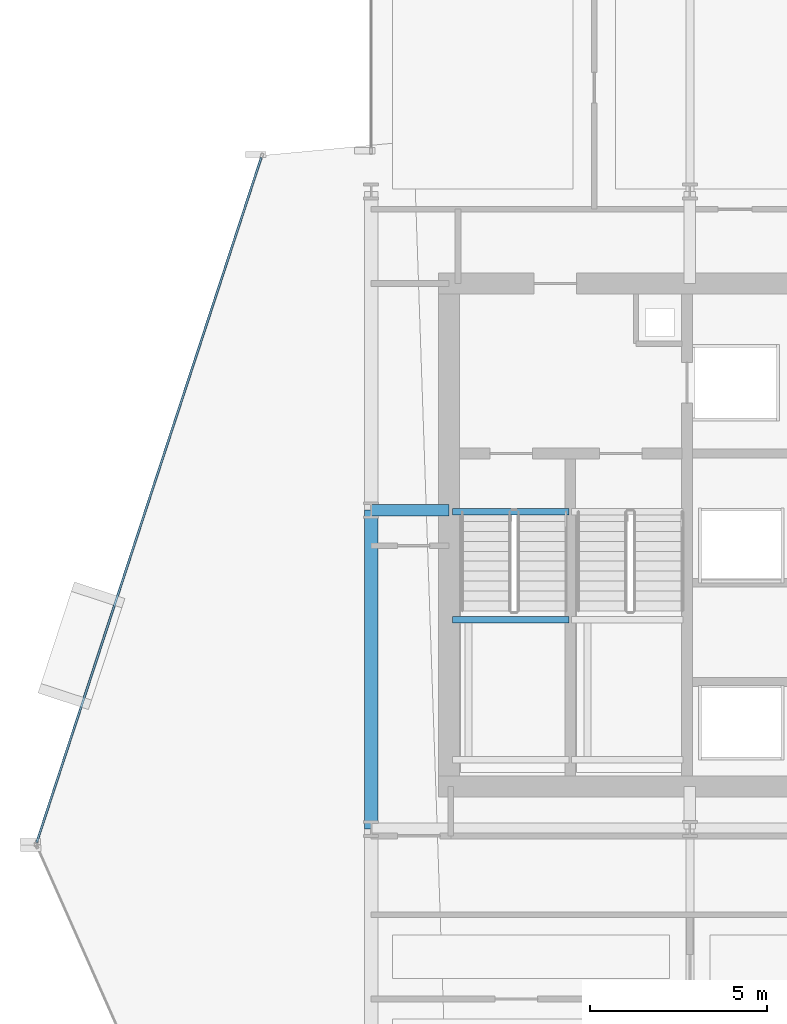
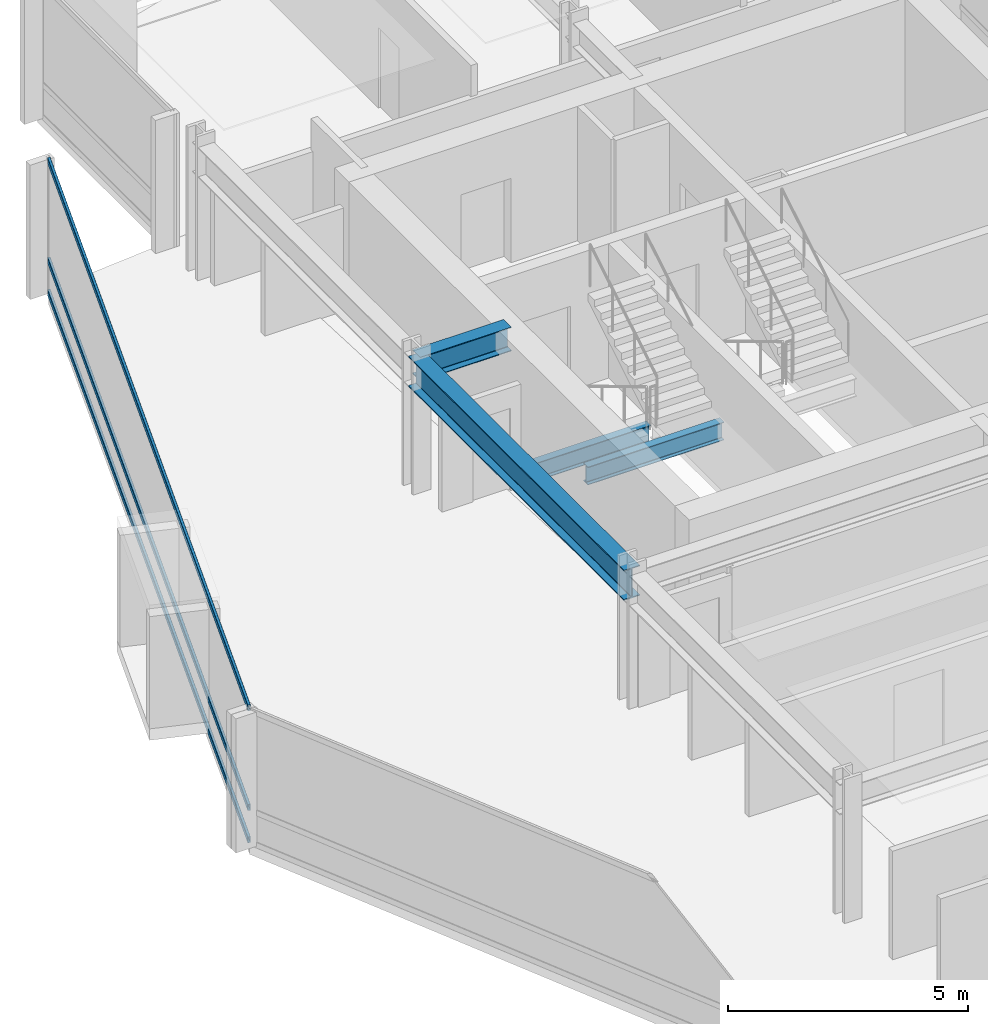
# One storey, part 18 of 34: 4 beams, 3 members, 1 element without a shape of its own.
"""IFC4 building model written with IfcOpenShell, lengths in metres."""

from ifc_helpers import new_model, si_unit, direction, frame, origin, origin_2d, place, context, subcontext, project, spatial, hollow_rectangle, i_section, extrude, material, layer, layer_set, material_profile, profile_set, type_object, element, aggregate, save


model = new_model("IFC4")

# Units and contexts
model_context = context("Model", 3, precision=1e-05, world=origin(), true_north=direction((0.0, 1.0)))
body_context = subcontext(model_context, "Body", "Model", "MODEL_VIEW")
ifc_project = project(units=[si_unit("LENGTHUNIT", "METRE"), si_unit("AREAUNIT", "SQUARE_METRE"), si_unit("VOLUMEUNIT", "CUBIC_METRE"), si_unit("PLANEANGLEUNIT", "RADIAN"), si_unit("MASSUNIT", "GRAM", prefix="KILO")], contexts=[model_context])

# Site, building, storey
site_placement = place(None, origin())
site = spatial("IfcSite", under=ifc_project, at=site_placement, CompositionType="ELEMENT")
building_placement = place(site_placement, origin())
building = spatial("IfcBuilding", under=site, at=building_placement, Name="Solvaryn Broadcast Tower", CompositionType="ELEMENT")
storey_placement = place(building_placement, frame((0.0, 0.0, 89.10009765625)))
storey = spatial("IfcBuildingStorey", under=building, at=storey_placement, Name="L21", CompositionType="ELEMENT", Elevation=89.10009765625)

# Beams
ifc_material_1 = material(Name="Steel ASTM A992 Grade 50", Category="steel")
ifc_material_profile_1 = material_profile(ifc_material_1, i_section(OverallWidth=0.323974609375, OverallDepth=0.611083984375, WebThickness=0.0126953125, FlangeThickness=0.01904296875, FilletRadius=0.014892578125, at=origin_2d()))
ifc_profile_set_1 = profile_set([ifc_material_profile_1], Name="Steel ASTM A992 Grade 50")
beam_type_1 = type_object("IfcBeamType", Name="BM-B1-W24X104", PredefinedType="BEAM", material=ifc_profile_set_1)
beam_1_placement = place(storey_placement, frame((9.0, 36.0, 3.114501953125), z_axis=(1.0, 0.0, 0.0), x_axis=(0.0, 1.0, 0.0)))
element("IfcBeam", 1, at=beam_1_placement, inside=storey, type_object=beam_type_1, Name="L21 Core Tie Beam CTW1", PredefinedType="BEAM", context=body_context, shape_type="SweptSolid", body=[
    extrude(i_section(OverallWidth=0.323974609375, OverallDepth=0.611083984375, WebThickness=0.0126953125, FlangeThickness=0.01904296875, FilletRadius=0.014892578125, at=origin_2d()), origin(), (0.0, 0.0, 1.0), 2.199951171875),
])
ifc_material_2 = material(Name="Steel ASTM A992 Grade 50", Category="steel")
ifc_material_profile_2 = material_profile(ifc_material_2, i_section(OverallWidth=0.18994140625, OverallDepth=0.45703125, WebThickness=0.009033203125, FlangeThickness=0.014404296875, FilletRadius=0.011962890625, at=origin_2d()))
ifc_profile_set_2 = profile_set([ifc_material_profile_2], Name="Steel ASTM A992 Grade 50")
beam_type_2 = type_object("IfcBeamType", Name="BM-B4-W18X50", PredefinedType="BEAM", material=ifc_profile_set_2)
for number, where, z_axis, x_axis, name in (
    (2, (11.300048828125, 35.9599609375, -0.508544921875), (1.0, 0.0, 0.0), (0.0, 1.0, 0.0), "L21 ST1 Stair Well Trimmer Beam"),
    (3, (11.300048828125, 32.909912109375, 1.42138671875), (1.0, 0.0, 0.0), (0.0, 1.0, 0.0), "L21 ST1 Landing Support Beam 1B"),
):
    element("IfcBeam", number, at=place(storey_placement, frame(where, z_axis=z_axis, x_axis=x_axis)), inside=storey, type_object=beam_type_2, Name=name, PredefinedType="BEAM", context=body_context, shape_type="SweptSolid", body=[
        extrude(i_section(OverallWidth=0.18994140625, OverallDepth=0.45703125, WebThickness=0.009033203125, FlangeThickness=0.014404296875, FilletRadius=0.011962890625, at=origin_2d()), origin(), (0.0, 0.0, 1.0), 3.280029296875),
    ])
ifc_material_3 = material(Name="Steel ASTM A992 Grade 50", Category="steel")
ifc_material_profile_3 = material_profile(ifc_material_3, i_section(OverallWidth=0.381103515625, OverallDepth=0.77294921875, WebThickness=0.0166015625, FlangeThickness=0.027099609375, FilletRadius=0.01806640625, at=origin_2d()))
ifc_profile_set_3 = profile_set([ifc_material_profile_3], Name="Steel ASTM A992 Grade 50")
beam_type_3 = type_object("IfcBeamType", Name="BM-SP1-W30X173", PredefinedType="USERDEFINED", material=ifc_profile_set_3)
beam_2_placement = place(storey_placement, frame((9.0, 27.0, 3.033447265625), z_axis=(0.0, 1.0, 0.0), x_axis=(-1.0, 0.0, 0.0)))
element("IfcBeam", 4, at=beam_2_placement, inside=storey, type_object=beam_type_3, Name="L21 Spandrel Beam Y (27-36 @ X=9)", ObjectType="SPANDREL", PredefinedType="USERDEFINED", context=body_context, shape_type="SweptSolid", body=[
    extrude(i_section(OverallWidth=0.381103515625, OverallDepth=0.77294921875, WebThickness=0.0166015625, FlangeThickness=0.027099609375, FilletRadius=0.01806640625, at=origin_2d()), origin(), (0.0, 0.0, 1.0), 9.0),
])

# Curtain wall, members
ifc_material_4 = material(Name="Aluminium and Terracotta Unitised Curtain Wall", Category="masonry")
ifc_layer = layer(ifc_material_4, 0.199951171875)
ifc_layer_set = layer_set([ifc_layer], Name="CW-SYS2-LOWMID")
curtain_wall_type = type_object("IfcCurtainWallType", Name="CW-SYS2-LOWMID", PredefinedType="NOTDEFINED", material=ifc_layer_set)
curtain_wall_placement = place(storey_placement, origin())
curtain_wall = element("IfcCurtainWall", 5, at=curtain_wall_placement, inside=storey, type_object=curtain_wall_type, Name="L21 Curtain Wall DR1", PredefinedType="NOTDEFINED")
ifc_material_5 = material(Name="Anodised Aluminium 6063-T6", Category="aluminium")
ifc_material_profile_4 = material_profile(ifc_material_5, hollow_rectangle(XDim=0.06494140625, YDim=0.14990234375, WallThickness=0.00390625, InnerFilletRadius=0.00390625, OuterFilletRadius=0.008056640625, at=origin_2d()))
ifc_profile_set_4 = profile_set([ifc_material_profile_4], Name="Anodised Aluminium 6063-T6")
member_type = type_object("IfcMemberType", Name="CW-TRN-150", PredefinedType="USERDEFINED", material=ifc_profile_set_4)
member_1_placement = place(storey_placement, frame((5.897216796875, 45.958984375, 0.02978515625), z_axis=(-0.311589549406, -0.950216792475, 0.0), x_axis=(0.950216792475, -0.311589549406, 0.0)))
member_1 = element("IfcMember", 6, at=member_1_placement, type_object=member_type, Name="CWS2 transom 1.1", ObjectType="TRANSOM", PredefinedType="USERDEFINED", context=body_context, shape_type="SweptSolid", body=[
    extrude(hollow_rectangle(XDim=0.06494140625, YDim=0.14990234375, WallThickness=0.00390625, InnerFilletRadius=0.00390625, OuterFilletRadius=0.008056640625, at=origin_2d()), origin(), (0.0, 0.0, 1.0), 20.35546875),
])
member_2_placement = place(storey_placement, frame((5.897216796875, 45.958984375, 0.849853515625), z_axis=(-0.311589549406, -0.950216792475, 0.0), x_axis=(0.950216792475, -0.311589549406, 0.0)))
member_2 = element("IfcMember", 7, at=member_2_placement, type_object=member_type, Name="CWS2 transom 1.2", ObjectType="TRANSOM", PredefinedType="USERDEFINED", context=body_context, shape_type="SweptSolid", body=[
    extrude(hollow_rectangle(XDim=0.06494140625, YDim=0.14990234375, WallThickness=0.00390625, InnerFilletRadius=0.00390625, OuterFilletRadius=0.008056640625, at=origin_2d()), origin(), (0.0, 0.0, 1.0), 20.35546875),
])
member_3_placement = place(storey_placement, frame((5.897216796875, 45.958984375, 3.389892578125), z_axis=(-0.311589549406, -0.950216792475, 0.0), x_axis=(0.950216792475, -0.311589549406, 0.0)))
member_3 = element("IfcMember", 8, at=member_3_placement, type_object=member_type, Name="CWS2 transom 1.3", ObjectType="TRANSOM", PredefinedType="USERDEFINED", context=body_context, shape_type="SweptSolid", body=[
    extrude(hollow_rectangle(XDim=0.06494140625, YDim=0.14990234375, WallThickness=0.00390625, InnerFilletRadius=0.00390625, OuterFilletRadius=0.008056640625, at=origin_2d()), origin(), (0.0, 0.0, 1.0), 20.35546875),
])
aggregate(curtain_wall, [member_1, member_2, member_3])

save(model, "model.ifc")
